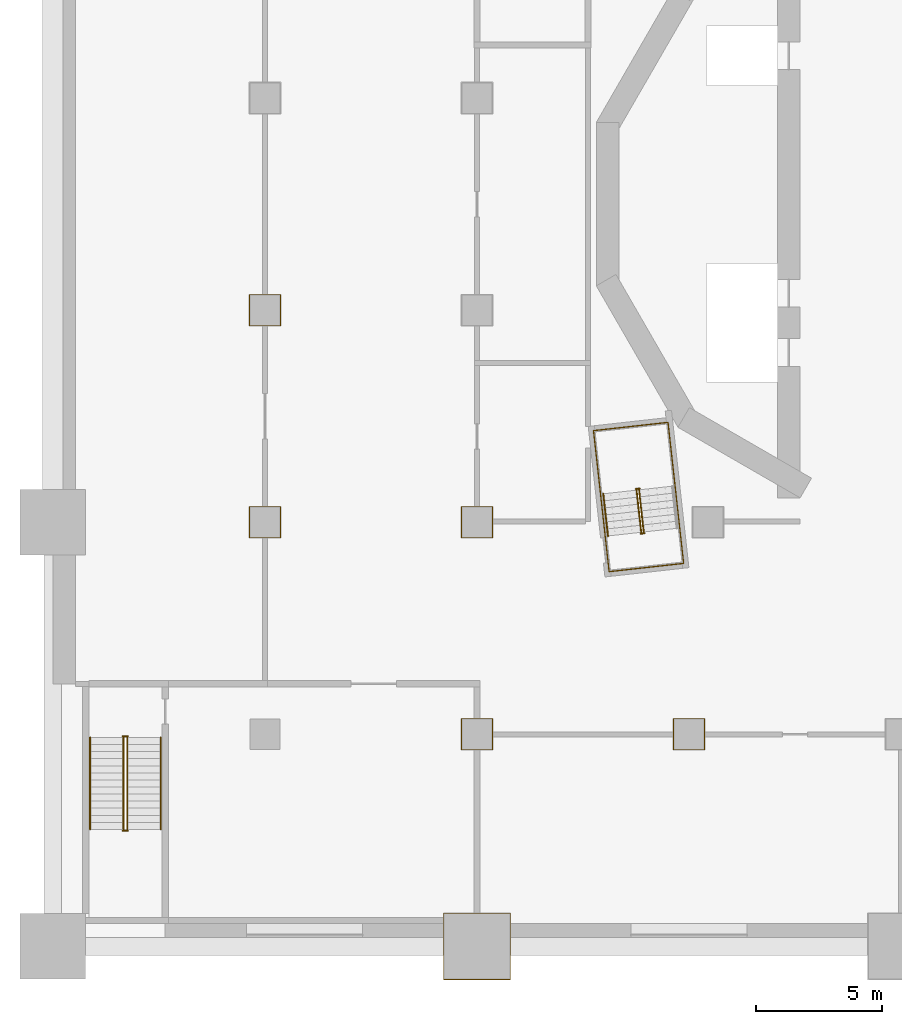
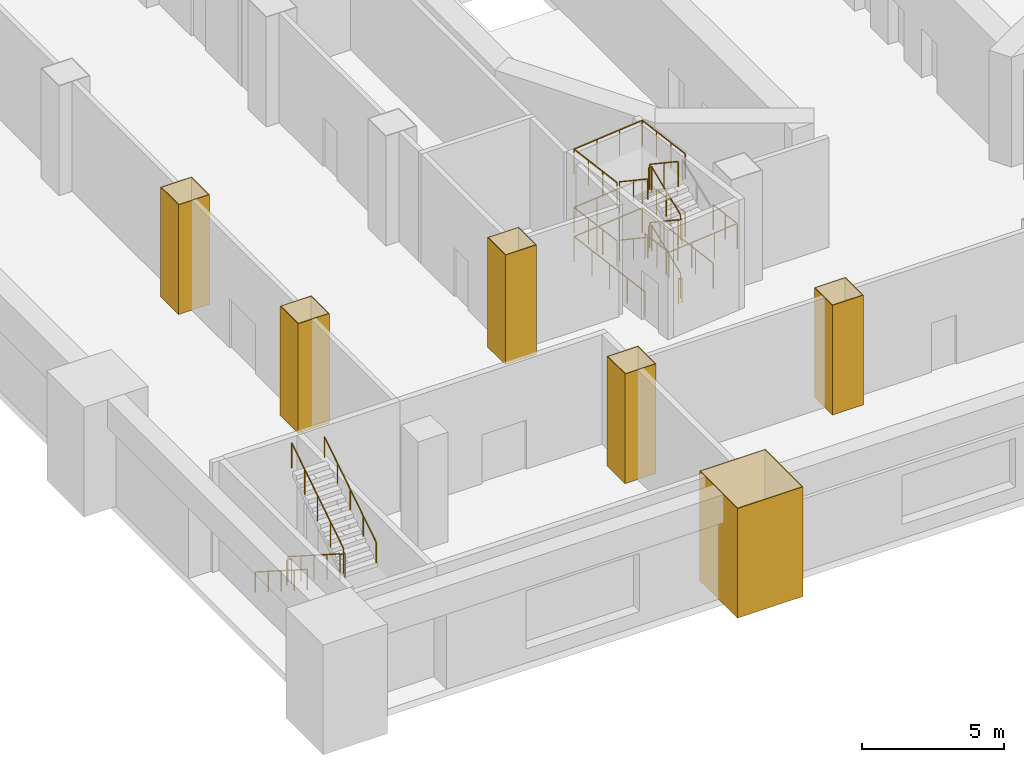
# One storey, part 9 of 17: 17 railings, 6 coverings.
"""IFC4 building model written with IfcOpenShell, lengths in metres."""

from ifc_helpers import new_model, si_unit, direction, frame, origin, origin_2d, place, context, subcontext, project, spatial, polyline, circle, outline, extrude, material, layer, layer_set, type_object, element, save


model = new_model("IFC4")

# Units and contexts
model_context = context("Model", 3, precision=1e-05, world=origin(), true_north=direction((0.0, 1.0)))
body_context = subcontext(model_context, "Body", "Model", "MODEL_VIEW")
ifc_project = project(units=[si_unit("LENGTHUNIT", "METRE"), si_unit("AREAUNIT", "SQUARE_METRE"), si_unit("VOLUMEUNIT", "CUBIC_METRE"), si_unit("PLANEANGLEUNIT", "RADIAN"), si_unit("MASSUNIT", "GRAM", prefix="KILO")], contexts=[model_context])

# Site, building, storey
site_placement = place(None, origin())
site = spatial("IfcSite", under=ifc_project, at=site_placement, CompositionType="ELEMENT")
building_placement = place(site_placement, origin())
building = spatial("IfcBuilding", under=site, at=building_placement, Name="Cantera Rosa Tower", CompositionType="ELEMENT")
storey_placement = place(building_placement, frame((0.0, 0.0, 27.0)))
storey = spatial("IfcBuildingStorey", under=building, at=storey_placement, Name="L04", CompositionType="ELEMENT", Elevation=27.0)

# Coverings
ifc_material_1 = material(Name="Plaster")
ifc_layer = layer(ifc_material_1, 0.030029296875)
ifc_layer_set = layer_set([ifc_layer], Name="Column casing 30")
covering_type = type_object("IfcCoveringType", Name="Column casing 30", PredefinedType="CLADDING", material=ifc_layer_set)
covering_1_placement = place(storey_placement, origin())
element("IfcCovering", 1, at=covering_1_placement, inside=storey, type_object=covering_type, Name="Column casing L04-001", PredefinedType="CLADDING", context=body_context, shape_type="SweptSolid", body=[
    extrude(outline(polyline([(-25.830078125, -13.22998046875), (-24.570068359375, -13.22998046875), (-24.570068359375, -11.969970703125), (-25.830078125, -11.969970703125), (-25.830078125, -13.22998046875)]), holes=[polyline([(-24.60009765625, -12.0), (-25.800048828125, -12.0), (-25.800048828125, -13.199951171875), (-24.60009765625, -13.199951171875), (-24.60009765625, -12.0)])]), origin(), (0.0, 0.0, 1.0), 4.699951171875),
])
covering_2_placement = place(storey_placement, origin())
element("IfcCovering", 2, at=covering_2_placement, inside=storey, type_object=covering_type, Name="Column casing L04-002", PredefinedType="CLADDING", context=body_context, shape_type="SweptSolid", body=[
    extrude(outline(polyline([(-25.830078125, -4.830078125), (-24.570068359375, -4.830078125), (-24.570068359375, -3.570068359375), (-25.830078125, -3.570068359375), (-25.830078125, -4.830078125)]), holes=[polyline([(-24.60009765625, -3.60009765625), (-25.800048828125, -3.60009765625), (-25.800048828125, -4.800048828125), (-24.60009765625, -4.800048828125), (-24.60009765625, -3.60009765625)])]), origin(), (0.0, 0.0, 1.0), 4.699951171875),
])
covering_3_placement = place(storey_placement, origin())
element("IfcCovering", 3, at=covering_3_placement, inside=storey, type_object=covering_type, Name="Column casing L04-005", PredefinedType="CLADDING", context=body_context, shape_type="SweptSolid", body=[
    extrude(outline(polyline([(-18.1298828125, -30.72998046875), (-15.469970703125, -30.72998046875), (-15.469970703125, -28.070068359375), (-18.1298828125, -28.070068359375), (-18.1298828125, -30.72998046875)]), holes=[polyline([(-15.5, -28.10009765625), (-18.10009765625, -28.10009765625), (-18.10009765625, -30.699951171875), (-15.5, -30.699951171875), (-15.5, -28.10009765625)])]), origin(), (0.0, 0.0, 1.0), 4.699951171875),
])
covering_4_placement = place(storey_placement, origin())
element("IfcCovering", 4, at=covering_4_placement, inside=storey, type_object=covering_type, Name="Column casing L04-006", PredefinedType="CLADDING", context=body_context, shape_type="SweptSolid", body=[
    extrude(outline(polyline([(-17.429931640625, -21.6298828125), (-16.169921875, -21.6298828125), (-16.169921875, -20.3701171875), (-17.429931640625, -20.3701171875), (-17.429931640625, -21.6298828125)]), holes=[polyline([(-16.199951171875, -20.39990234375), (-17.39990234375, -20.39990234375), (-17.39990234375, -21.60009765625), (-16.199951171875, -21.60009765625), (-16.199951171875, -20.39990234375)])]), origin(), (0.0, 0.0, 1.0), 4.699951171875),
])
covering_5_placement = place(storey_placement, origin())
element("IfcCovering", 5, at=covering_5_placement, inside=storey, type_object=covering_type, Name="Column casing L04-007", PredefinedType="CLADDING", context=body_context, shape_type="SweptSolid", body=[
    extrude(outline(polyline([(-17.429931640625, -13.22998046875), (-16.169921875, -13.22998046875), (-16.169921875, -11.969970703125), (-17.429931640625, -11.969970703125), (-17.429931640625, -13.22998046875)]), holes=[polyline([(-16.199951171875, -12.0), (-17.39990234375, -12.0), (-17.39990234375, -13.199951171875), (-16.199951171875, -13.199951171875), (-16.199951171875, -12.0)])]), origin(), (0.0, 0.0, 1.0), 4.699951171875),
])
covering_6_placement = place(storey_placement, origin())
element("IfcCovering", 6, at=covering_6_placement, inside=storey, type_object=covering_type, Name="Column casing L04-013", PredefinedType="CLADDING", context=body_context, shape_type="SweptSolid", body=[
    extrude(outline(polyline([(-9.030029296875, -21.6298828125), (-7.77001953125, -21.6298828125), (-7.77001953125, -20.3701171875), (-9.030029296875, -20.3701171875), (-9.030029296875, -21.6298828125)]), holes=[polyline([(-7.800048828125, -20.39990234375), (-9.0, -20.39990234375), (-9.0, -21.60009765625), (-7.800048828125, -21.60009765625), (-7.800048828125, -20.39990234375)])]), origin(), (0.0, 0.0, 1.0), 4.699951171875),
])

# Railings
ifc_material_2 = material(Name="Steel S355J2 (EN 10025-2)", Category="steel")
railing_type_1 = type_object("IfcRailingType", Name="STAIR GUARD 1100", PredefinedType="GUARDRAIL", material=ifc_material_2)
railing_1_placement = place(storey_placement, frame((-10.19677734375, -12.986083984375, 0.178466796875)))
element("IfcRailing", 7, at=railing_1_placement, inside=storey, type_object=railing_type_1, Name="L04 ST-13 stair guard 1", PredefinedType="GUARDRAIL", context=body_context, shape_type="SweptSolid", body=[
    extrude(circle(Radius=0.02392578125, at=origin_2d()), frame((0.0, 0.0, 1.076171875), z_axis=(-0.092996744609, 0.837950904326, 0.537763784046), x_axis=(-0.993897904819, -0.110303920128, 0.0)), (0.0, 0.0, 1.0), 1.99267578125),
    extrude(circle(Radius=0.02392578125, at=origin_2d()), frame((-0.185302734375, 1.669677734375, 2.1474609375), z_axis=(0.358689472963, 0.933456941688, 0.0), x_axis=(-0.933456941688, 0.358689472963, 0.0)), (0.0, 0.0, 1.0), 0.056396484375),
    extrude(circle(Radius=0.02392578125, at=origin_2d()), frame((-0.1650390625, 1.722412109375, 2.1474609375), z_axis=(-0.993863881828, -0.110610055588, 0.0), x_axis=(0.110610055588, -0.993863881828, 0.0)), (0.0, 0.0, 1.0), 0.150146484375),
    extrude(circle(Radius=0.02099609375, at=origin_2d()), origin(), (0.0, 0.0, 1.0), 1.052001953125),
    extrude(circle(Radius=0.02099609375, at=origin_2d()), frame((-0.0927734375, 0.8349609375, 0.53564453125)), (0.0, 0.0, 1.0), 1.052001953125),
    extrude(circle(Radius=0.02099609375, at=origin_2d()), frame((-0.185302734375, 1.669677734375, 1.071533203125)), (0.0, 0.0, 1.0), 1.052001953125),
    extrude(circle(Radius=0.02099609375, at=origin_2d()), frame((-0.1650390625, 1.722412109375, 1.071533203125)), (0.0, 0.0, 1.0), 1.052001953125),
    extrude(circle(Radius=0.02099609375, at=origin_2d()), frame((-0.314208984375, 1.705810546875, 1.071533203125)), (0.0, 0.0, 1.0), 1.052001953125),
])
railing_2_placement = place(storey_placement, frame((-10.4794921875, -11.3271484375, 1.428466796875)))
element("IfcRailing", 8, at=railing_2_placement, inside=storey, type_object=railing_type_1, Name="L04 ST-13 stair guard 2", PredefinedType="GUARDRAIL", context=body_context, shape_type="SweptSolid", body=[
    extrude(circle(Radius=0.02392578125, at=origin_2d()), frame((0.0, 0.0, 1.076171875), z_axis=(0.092996744609, -0.837950904326, 0.537763784046), x_axis=(0.993897904819, 0.110303920128, 0.0)), (0.0, 0.0, 1.0), 1.99267578125),
    extrude(circle(Radius=0.02392578125, at=origin_2d()), frame((0.185302734375, -1.669677734375, 2.1474609375), z_axis=(-0.363909256389, -0.931434406233, 0.0), x_axis=(0.931434406233, -0.363909256389, 0.0)), (0.0, 0.0, 1.0), 0.056396484375),
    extrude(circle(Radius=0.02392578125, at=origin_2d()), frame((0.164794921875, -1.72216796875, 2.1474609375), z_axis=(0.994041430915, 0.1090029065, 0.0), x_axis=(-0.1090029065, 0.994041430915, 0.0)), (0.0, 0.0, 1.0), 0.150146484375),
    extrude(circle(Radius=0.02099609375, at=origin_2d()), origin(), (0.0, 0.0, 1.0), 1.052001953125),
    extrude(circle(Radius=0.02099609375, at=origin_2d()), frame((0.0927734375, -0.8349609375, 0.53564453125)), (0.0, 0.0, 1.0), 1.052001953125),
    extrude(circle(Radius=0.02099609375, at=origin_2d()), frame((0.185302734375, -1.669677734375, 1.071533203125)), (0.0, 0.0, 1.0), 1.052001953125),
    extrude(circle(Radius=0.02099609375, at=origin_2d()), frame((0.164794921875, -1.72216796875, 1.071533203125)), (0.0, 0.0, 1.0), 1.052001953125),
    extrude(circle(Radius=0.02099609375, at=origin_2d()), frame((0.31396484375, -1.705810546875, 1.071533203125)), (0.0, 0.0, 1.0), 1.052001953125),
])
railing_3_placement = place(storey_placement, frame((-10.19677734375, -12.986083984375, 2.678466796875)))
element("IfcRailing", 9, at=railing_3_placement, inside=storey, type_object=railing_type_1, Name="L04 ST-13 stair guard 3", PredefinedType="GUARDRAIL", context=body_context, shape_type="SweptSolid", body=[
    extrude(circle(Radius=0.02392578125, at=origin_2d()), frame((0.0, 0.0, 1.076171875), z_axis=(-0.092996744609, 0.837950904326, 0.537763784046), x_axis=(-0.993897904819, -0.110303920128, 0.0)), (0.0, 0.0, 1.0), 1.99267578125),
    extrude(circle(Radius=0.02392578125, at=origin_2d()), frame((-0.185302734375, 1.669677734375, 2.1474609375), z_axis=(0.358689472963, 0.933456941688, 0.0), x_axis=(-0.933456941688, 0.358689472963, 0.0)), (0.0, 0.0, 1.0), 0.056396484375),
    extrude(circle(Radius=0.02392578125, at=origin_2d()), frame((-0.1650390625, 1.722412109375, 2.1474609375), z_axis=(-0.993863881828, -0.110610055588, 0.0), x_axis=(0.110610055588, -0.993863881828, 0.0)), (0.0, 0.0, 1.0), 0.150146484375),
    extrude(circle(Radius=0.02099609375, at=origin_2d()), origin(), (0.0, 0.0, 1.0), 1.052001953125),
    extrude(circle(Radius=0.02099609375, at=origin_2d()), frame((-0.0927734375, 0.8349609375, 0.53564453125)), (0.0, 0.0, 1.0), 1.052001953125),
    extrude(circle(Radius=0.02099609375, at=origin_2d()), frame((-0.185302734375, 1.669677734375, 1.071533203125)), (0.0, 0.0, 1.0), 1.052001953125),
    extrude(circle(Radius=0.02099609375, at=origin_2d()), frame((-0.1650390625, 1.722412109375, 1.071533203125)), (0.0, 0.0, 1.0), 1.052001953125),
    extrude(circle(Radius=0.02099609375, at=origin_2d()), frame((-0.314208984375, 1.705810546875, 1.071533203125)), (0.0, 0.0, 1.0), 1.052001953125),
])
railing_4_placement = place(storey_placement, frame((-10.4794921875, -11.3271484375, 3.928466796875)))
element("IfcRailing", 10, at=railing_4_placement, inside=storey, type_object=railing_type_1, Name="L04 ST-13 stair guard 4", PredefinedType="GUARDRAIL", context=body_context, shape_type="SweptSolid", body=[
    extrude(circle(Radius=0.02392578125, at=origin_2d()), frame((0.0, 0.0, 1.076171875), z_axis=(0.092996744609, -0.837950904326, 0.537763784046), x_axis=(0.993897904819, 0.110303920128, 0.0)), (0.0, 0.0, 1.0), 1.99267578125),
    extrude(circle(Radius=0.02099609375, at=origin_2d()), origin(), (0.0, 0.0, 1.0), 1.052001953125),
    extrude(circle(Radius=0.02099609375, at=origin_2d()), frame((0.0927734375, -0.8349609375, 0.53564453125)), (0.0, 0.0, 1.0), 1.052001953125),
    extrude(circle(Radius=0.02099609375, at=origin_2d()), frame((0.185302734375, -1.669677734375, 1.071533203125)), (0.0, 0.0, 1.0), 1.052001953125),
])
railing_5_placement = place(storey_placement, frame((-10.16552734375, -13.032958984375, 0.0)))
element("IfcRailing", 11, at=railing_5_placement, inside=storey, type_object=railing_type_1, Name="L04 ST-13 stair guard 5", PredefinedType="GUARDRAIL", context=body_context, shape_type="SweptSolid", body=[
    extrude(circle(Radius=0.02392578125, at=origin_2d()), frame((0.0, 0.0, 1.076171875), z_axis=(-0.994041430915, -0.1090029065, 0.0), x_axis=(0.1090029065, -0.994041430915, 0.0)), (0.0, 0.0, 1.0), 0.150146484375),
    extrude(circle(Radius=0.02099609375, at=origin_2d()), origin(), (0.0, 0.0, 1.0), 1.052001953125),
    extrude(circle(Radius=0.02099609375, at=origin_2d()), frame((-0.149169921875, -0.016357421875, 0.0)), (0.0, 0.0, 1.0), 1.052001953125),
])
railing_6_placement = place(storey_placement, frame((-8.77099609375, -12.815673828125, 0.0)))
element("IfcRailing", 12, at=railing_6_placement, inside=storey, type_object=railing_type_1, Name="L04 ST-13 stair guard 6", PredefinedType="GUARDRAIL", context=body_context, shape_type="SweptSolid", body=[
    extrude(circle(Radius=0.02392578125, at=origin_2d()), frame((0.0, 0.0, 1.076171875), z_axis=(-0.110323013767, 0.9938957856, 0.0), x_axis=(-0.9938957856, -0.110323013767, 0.0)), (0.0, 0.0, 1.0), 4.197998046875),
    extrude(circle(Radius=0.02392578125, at=origin_2d()), frame((-0.463134765625, 4.17236328125, 1.076171875), z_axis=(-0.993896759678, -0.110314237986, 0.0), x_axis=(0.110314237986, -0.993896759678, 0.0)), (0.0, 0.0, 1.0), 2.969970703125),
    extrude(circle(Radius=0.02392578125, at=origin_2d()), frame((-3.4150390625, 3.8447265625, 1.076171875), z_axis=(0.110323013767, -0.9938957856, 0.0), x_axis=(0.9938957856, 0.110323013767, 0.0)), (0.0, 0.0, 1.0), 4.197998046875),
    extrude(circle(Radius=0.02099609375, at=origin_2d()), origin(), (0.0, 0.0, 1.0), 1.052001953125),
    extrude(circle(Radius=0.02099609375, at=origin_2d()), frame((-0.11572265625, 1.04296875, 0.0)), (0.0, 0.0, 1.0), 1.052001953125),
    extrude(circle(Radius=0.02099609375, at=origin_2d()), frame((-0.2314453125, 2.086181640625, 0.0)), (0.0, 0.0, 1.0), 1.052001953125),
    extrude(circle(Radius=0.02099609375, at=origin_2d()), frame((-0.347412109375, 3.12939453125, 0.0)), (0.0, 0.0, 1.0), 1.052001953125),
    extrude(circle(Radius=0.02099609375, at=origin_2d()), frame((-0.463134765625, 4.17236328125, 0.0)), (0.0, 0.0, 1.0), 1.052001953125),
    extrude(circle(Radius=0.02099609375, at=origin_2d()), frame((-1.447021484375, 4.063232421875, 0.0)), (0.0, 0.0, 1.0), 1.052001953125),
    extrude(circle(Radius=0.02099609375, at=origin_2d()), frame((-2.43115234375, 3.953857421875, 0.0)), (0.0, 0.0, 1.0), 1.052001953125),
    extrude(circle(Radius=0.02099609375, at=origin_2d()), frame((-3.4150390625, 3.8447265625, 0.0)), (0.0, 0.0, 1.0), 1.052001953125),
    extrude(circle(Radius=0.02099609375, at=origin_2d()), frame((-3.29931640625, 2.8017578125, 0.0)), (0.0, 0.0, 1.0), 1.052001953125),
    extrude(circle(Radius=0.02099609375, at=origin_2d()), frame((-3.18359375, 1.758544921875, 0.0)), (0.0, 0.0, 1.0), 1.052001953125),
    extrude(circle(Radius=0.02099609375, at=origin_2d()), frame((-3.067626953125, 0.71533203125, 0.0)), (0.0, 0.0, 1.0), 1.052001953125),
    extrude(circle(Radius=0.02099609375, at=origin_2d()), frame((-2.951904296875, -0.32763671875, 0.0)), (0.0, 0.0, 1.0), 1.052001953125),
])
railing_7_placement = place(storey_placement, frame((-8.95361328125, -11.169921875, 1.25)))
element("IfcRailing", 13, at=railing_7_placement, inside=storey, type_object=railing_type_1, Name="L04 ST-13 stair guard 7", PredefinedType="GUARDRAIL", context=body_context, shape_type="SweptSolid", body=[
    extrude(circle(Radius=0.02392578125, at=origin_2d()), frame((0.0, 0.0, 1.076171875), z_axis=(-0.110347199982, 0.993893100618, 0.0), x_axis=(-0.993893100618, -0.110347199982, 0.0)), (0.0, 0.0, 1.0), 2.542236328125),
    extrude(circle(Radius=0.02392578125, at=origin_2d()), frame((-0.280517578125, 2.526611328125, 1.076171875), z_axis=(-0.993896759678, -0.110314237986, 0.0), x_axis=(0.110314237986, -0.993896759678, 0.0)), (0.0, 0.0, 1.0), 2.969970703125),
    extrude(circle(Radius=0.02392578125, at=origin_2d()), frame((-3.232421875, 2.198974609375, 1.076171875), z_axis=(0.110347199982, -0.993893100618, 0.0), x_axis=(0.993893100618, 0.110347199982, 0.0)), (0.0, 0.0, 1.0), 2.542236328125),
    extrude(circle(Radius=0.02099609375, at=origin_2d()), origin(), (0.0, 0.0, 1.0), 1.052001953125),
    extrude(circle(Radius=0.02099609375, at=origin_2d()), frame((-0.093505859375, 0.84228515625, 0.0)), (0.0, 0.0, 1.0), 1.052001953125),
    extrude(circle(Radius=0.02099609375, at=origin_2d()), frame((-0.18701171875, 1.684326171875, 0.0)), (0.0, 0.0, 1.0), 1.052001953125),
    extrude(circle(Radius=0.02099609375, at=origin_2d()), frame((-0.280517578125, 2.526611328125, 0.0)), (0.0, 0.0, 1.0), 1.052001953125),
    extrude(circle(Radius=0.02099609375, at=origin_2d()), frame((-1.264404296875, 2.41748046875, 0.0)), (0.0, 0.0, 1.0), 1.052001953125),
    extrude(circle(Radius=0.02099609375, at=origin_2d()), frame((-2.24853515625, 2.30810546875, 0.0)), (0.0, 0.0, 1.0), 1.052001953125),
    extrude(circle(Radius=0.02099609375, at=origin_2d()), frame((-3.232421875, 2.198974609375, 0.0)), (0.0, 0.0, 1.0), 1.052001953125),
    extrude(circle(Radius=0.02099609375, at=origin_2d()), frame((-3.138916015625, 1.356689453125, 0.0)), (0.0, 0.0, 1.0), 1.052001953125),
    extrude(circle(Radius=0.02099609375, at=origin_2d()), frame((-3.04541015625, 0.5146484375, 0.0)), (0.0, 0.0, 1.0), 1.052001953125),
    extrude(circle(Radius=0.02099609375, at=origin_2d()), frame((-2.951904296875, -0.32763671875, 0.0)), (0.0, 0.0, 1.0), 1.052001953125),
])
railing_8_placement = place(storey_placement, frame((-8.77099609375, -12.815673828125, 2.5)))
element("IfcRailing", 14, at=railing_8_placement, inside=storey, type_object=railing_type_1, Name="L04 ST-13 stair guard 8", PredefinedType="GUARDRAIL", context=body_context, shape_type="SweptSolid", body=[
    extrude(circle(Radius=0.02392578125, at=origin_2d()), frame((0.0, 0.0, 1.076171875), z_axis=(0.110393838913, -0.993887921413, 0.0), x_axis=(0.993887921413, 0.110393838913, 0.0)), (0.0, 0.0, 1.0), 1.422119140625),
    extrude(circle(Radius=0.02392578125, at=origin_2d()), frame((0.156982421875, -1.413330078125, 1.076171875), z_axis=(-0.993896759678, -0.110314237986, 0.0), x_axis=(0.110314237986, -0.993896759678, 0.0)), (0.0, 0.0, 1.0), 2.969970703125),
    extrude(circle(Radius=0.02392578125, at=origin_2d()), frame((-2.794921875, -1.740966796875, 1.076171875), z_axis=(-0.110393838913, 0.993887921413, 0.0), x_axis=(-0.993887921413, -0.110393838913, 0.0)), (0.0, 0.0, 1.0), 1.422119140625),
    extrude(circle(Radius=0.02099609375, at=origin_2d()), origin(), (0.0, 0.0, 1.0), 1.052001953125),
    extrude(circle(Radius=0.02099609375, at=origin_2d()), frame((0.07861328125, -0.70654296875, 0.0)), (0.0, 0.0, 1.0), 1.052001953125),
    extrude(circle(Radius=0.02099609375, at=origin_2d()), frame((0.156982421875, -1.413330078125, 0.0)), (0.0, 0.0, 1.0), 1.052001953125),
    extrude(circle(Radius=0.02099609375, at=origin_2d()), frame((-0.826904296875, -1.5224609375, 0.0)), (0.0, 0.0, 1.0), 1.052001953125),
    extrude(circle(Radius=0.02099609375, at=origin_2d()), frame((-1.81103515625, -1.6318359375, 0.0)), (0.0, 0.0, 1.0), 1.052001953125),
    extrude(circle(Radius=0.02099609375, at=origin_2d()), frame((-2.794921875, -1.740966796875, 0.0)), (0.0, 0.0, 1.0), 1.052001953125),
    extrude(circle(Radius=0.02099609375, at=origin_2d()), frame((-2.87353515625, -1.0341796875, 0.0)), (0.0, 0.0, 1.0), 1.052001953125),
    extrude(circle(Radius=0.02099609375, at=origin_2d()), frame((-2.951904296875, -0.32763671875, 0.0)), (0.0, 0.0, 1.0), 1.052001953125),
])
railing_9_placement = place(storey_placement, frame((-8.95361328125, -11.169921875, 3.75)))
element("IfcRailing", 15, at=railing_9_placement, inside=storey, type_object=railing_type_1, Name="L04 ST-13 stair guard 9", PredefinedType="GUARDRAIL", context=body_context, shape_type="SweptSolid", body=[
    extrude(circle(Radius=0.02392578125, at=origin_2d()), frame((0.0, 0.0, 1.076171875), z_axis=(-0.110347199982, 0.993893100618, 0.0), x_axis=(-0.993893100618, -0.110347199982, 0.0)), (0.0, 0.0, 1.0), 2.542236328125),
    extrude(circle(Radius=0.02392578125, at=origin_2d()), frame((-0.280517578125, 2.526611328125, 1.076171875), z_axis=(-0.993896759678, -0.110314237986, 0.0), x_axis=(0.110314237986, -0.993896759678, 0.0)), (0.0, 0.0, 1.0), 2.969970703125),
    extrude(circle(Radius=0.02392578125, at=origin_2d()), frame((-3.232421875, 2.198974609375, 1.076171875), z_axis=(0.110347199982, -0.993893100618, 0.0), x_axis=(0.993893100618, 0.110347199982, 0.0)), (0.0, 0.0, 1.0), 2.542236328125),
    extrude(circle(Radius=0.02099609375, at=origin_2d()), origin(), (0.0, 0.0, 1.0), 1.052001953125),
    extrude(circle(Radius=0.02099609375, at=origin_2d()), frame((-0.093505859375, 0.84228515625, 0.0)), (0.0, 0.0, 1.0), 1.052001953125),
    extrude(circle(Radius=0.02099609375, at=origin_2d()), frame((-0.18701171875, 1.684326171875, 0.0)), (0.0, 0.0, 1.0), 1.052001953125),
    extrude(circle(Radius=0.02099609375, at=origin_2d()), frame((-0.280517578125, 2.526611328125, 0.0)), (0.0, 0.0, 1.0), 1.052001953125),
    extrude(circle(Radius=0.02099609375, at=origin_2d()), frame((-1.264404296875, 2.41748046875, 0.0)), (0.0, 0.0, 1.0), 1.052001953125),
    extrude(circle(Radius=0.02099609375, at=origin_2d()), frame((-2.24853515625, 2.30810546875, 0.0)), (0.0, 0.0, 1.0), 1.052001953125),
    extrude(circle(Radius=0.02099609375, at=origin_2d()), frame((-3.232421875, 2.198974609375, 0.0)), (0.0, 0.0, 1.0), 1.052001953125),
    extrude(circle(Radius=0.02099609375, at=origin_2d()), frame((-3.138916015625, 1.356689453125, 0.0)), (0.0, 0.0, 1.0), 1.052001953125),
    extrude(circle(Radius=0.02099609375, at=origin_2d()), frame((-3.04541015625, 0.5146484375, 0.0)), (0.0, 0.0, 1.0), 1.052001953125),
    extrude(circle(Radius=0.02099609375, at=origin_2d()), frame((-2.951904296875, -0.32763671875, 0.0)), (0.0, 0.0, 1.0), 1.052001953125),
])
railing_10_placement = place(storey_placement, frame((-30.799072265625, -21.125, 0.178466796875)))
element("IfcRailing", 16, at=railing_10_placement, inside=storey, type_object=railing_type_1, Name="L04 ST-SW stair guard 1", PredefinedType="GUARDRAIL", context=body_context, shape_type="SweptSolid", body=[
    extrude(circle(Radius=0.02392578125, at=origin_2d()), frame((0.0, 0.0, 1.076171875), z_axis=(0.0, -0.843111507901, 0.53773877045), x_axis=(1.0, 0.0, 0.0)), (0.0, 0.0, 1.0), 4.317138671875),
    extrude(circle(Radius=0.02099609375, at=origin_2d()), origin(), (0.0, 0.0, 1.0), 1.052001953125),
    extrude(circle(Radius=0.02099609375, at=origin_2d()), frame((0.0, -0.909912109375, 0.580322265625)), (0.0, 0.0, 1.0), 1.052001953125),
    extrude(circle(Radius=0.02099609375, at=origin_2d()), frame((0.0, -1.81982421875, 1.16064453125)), (0.0, 0.0, 1.0), 1.052001953125),
    extrude(circle(Radius=0.02099609375, at=origin_2d()), frame((0.0, -2.72998046875, 1.7412109375)), (0.0, 0.0, 1.0), 1.052001953125),
    extrude(circle(Radius=0.02099609375, at=origin_2d()), frame((0.0, -3.639892578125, 2.321533203125)), (0.0, 0.0, 1.0), 1.052001953125),
])
railing_11_placement = place(storey_placement, frame((-30.824951171875, -24.81494140625, 2.5)))
element("IfcRailing", 17, at=railing_11_placement, inside=storey, type_object=railing_type_1, Name="L04 ST-SW stair guard 2", PredefinedType="GUARDRAIL", context=body_context, shape_type="SweptSolid", body=[
    extrude(circle(Radius=0.02392578125, at=origin_2d()), frame((0.0, 0.0, 1.076171875), z_axis=(1.0, 0.0, 0.0), x_axis=(0.0, 1.0, 0.0)), (0.0, 0.0, 1.0), 0.199951171875),
    extrude(circle(Radius=0.02099609375, at=origin_2d()), origin(), (0.0, 0.0, 1.0), 1.052001953125),
    extrude(circle(Radius=0.02099609375, at=origin_2d()), frame((0.199951171875, 0.0, 0.0)), (0.0, 0.0, 1.0), 1.052001953125),
])
railing_12_placement = place(storey_placement, frame((-30.65087890625, -24.764892578125, 2.678466796875)))
element("IfcRailing", 18, at=railing_12_placement, inside=storey, type_object=railing_type_1, Name="L04 ST-SW stair guard 3", PredefinedType="GUARDRAIL", context=body_context, shape_type="SweptSolid", body=[
    extrude(circle(Radius=0.02392578125, at=origin_2d()), frame((0.0, 0.0, 1.076171875), z_axis=(0.0, 0.843111507901, 0.53773877045), x_axis=(-1.0, 0.0, 0.0)), (0.0, 0.0, 1.0), 4.317138671875),
    extrude(circle(Radius=0.02099609375, at=origin_2d()), origin(), (0.0, 0.0, 1.0), 1.052001953125),
    extrude(circle(Radius=0.02099609375, at=origin_2d()), frame((0.0, 0.909912109375, 0.580322265625)), (0.0, 0.0, 1.0), 1.052001953125),
    extrude(circle(Radius=0.02099609375, at=origin_2d()), frame((0.0, 1.81982421875, 1.16064453125)), (0.0, 0.0, 1.0), 1.052001953125),
    extrude(circle(Radius=0.02099609375, at=origin_2d()), frame((0.0, 2.72998046875, 1.7412109375)), (0.0, 0.0, 1.0), 1.052001953125),
    extrude(circle(Radius=0.02099609375, at=origin_2d()), frame((0.0, 3.639892578125, 2.321533203125)), (0.0, 0.0, 1.0), 1.052001953125),
])
railing_13_placement = place(storey_placement, frame((-30.824951171875, -21.074951171875, 0.0)))
element("IfcRailing", 19, at=railing_13_placement, inside=storey, type_object=railing_type_1, Name="L04 ST-SW stair guard 4", PredefinedType="GUARDRAIL", context=body_context, shape_type="SweptSolid", body=[
    extrude(circle(Radius=0.02392578125, at=origin_2d()), frame((0.0, 0.0, 1.076171875), z_axis=(1.0, 0.0, 0.0), x_axis=(0.0, 1.0, 0.0)), (0.0, 0.0, 1.0), 0.199951171875),
    extrude(circle(Radius=0.02099609375, at=origin_2d()), origin(), (0.0, 0.0, 1.0), 1.052001953125),
    extrude(circle(Radius=0.02099609375, at=origin_2d()), frame((0.199951171875, 0.0, 0.0)), (0.0, 0.0, 1.0), 1.052001953125),
])
ifc_material_3 = material(Name="Steel S355J2 (EN 10025-2)", Category="steel")
railing_type_2 = type_object("IfcRailingType", Name="STAIR HANDRAIL 900", PredefinedType="HANDRAIL", material=ifc_material_3)
for number, where, name in (
    (20, (-11.797607421875, -11.473388671875, 1.428466796875), "L04 ST-13 stair handrail 2"),
    (21, (-11.797607421875, -11.473388671875, 3.928466796875), "L04 ST-13 stair handrail 4"),
):
    element("IfcRailing", number, at=place(storey_placement, frame(where)), inside=storey, type_object=railing_type_2, Name=name, PredefinedType="HANDRAIL", context=body_context, shape_type="SweptSolid", body=[
        extrude(circle(Radius=0.02392578125, at=origin_2d()), frame((0.0, 0.0, 0.8759765625), z_axis=(0.09311820824, -0.837941350202, 0.537757652586), x_axis=(0.993881962282, 0.110447476434, 0.0)), (0.0, 0.0, 1.0), 1.99267578125),
        extrude(circle(Radius=0.02099609375, at=origin_2d()), origin(), (0.0, 0.0, 1.0), 0.851806640625),
        extrude(circle(Radius=0.02099609375, at=origin_2d()), frame((0.0927734375, -0.8349609375, 0.53564453125)), (0.0, 0.0, 1.0), 0.851806640625),
        extrude(circle(Radius=0.02099609375, at=origin_2d()), frame((0.185546875, -1.669677734375, 1.071533203125)), (0.0, 0.0, 1.0), 0.851806640625),
    ])
railing_14_placement = place(storey_placement, frame((-32.125, -21.125, 0.178466796875)))
element("IfcRailing", 22, at=railing_14_placement, inside=storey, type_object=railing_type_2, Name="L04 ST-SW stair handrail 1", PredefinedType="HANDRAIL", context=body_context, shape_type="SweptSolid", body=[
    extrude(circle(Radius=0.02392578125, at=origin_2d()), frame((0.0, 0.0, 0.8759765625), z_axis=(0.0, -0.843111507901, 0.53773877045), x_axis=(1.0, 0.0, 0.0)), (0.0, 0.0, 1.0), 4.317138671875),
    extrude(circle(Radius=0.02099609375, at=origin_2d()), origin(), (0.0, 0.0, 1.0), 0.851806640625),
    extrude(circle(Radius=0.02099609375, at=origin_2d()), frame((0.0, -0.909912109375, 0.580322265625)), (0.0, 0.0, 1.0), 0.851806640625),
    extrude(circle(Radius=0.02099609375, at=origin_2d()), frame((0.0, -1.81982421875, 1.16064453125)), (0.0, 0.0, 1.0), 0.851806640625),
    extrude(circle(Radius=0.02099609375, at=origin_2d()), frame((0.0, -2.72998046875, 1.7412109375)), (0.0, 0.0, 1.0), 0.851806640625),
    extrude(circle(Radius=0.02099609375, at=origin_2d()), frame((0.0, -3.639892578125, 2.321533203125)), (0.0, 0.0, 1.0), 0.851806640625),
])
railing_15_placement = place(storey_placement, frame((-29.324951171875, -24.764892578125, 2.678466796875)))
element("IfcRailing", 23, at=railing_15_placement, inside=storey, type_object=railing_type_2, Name="L04 ST-SW stair handrail 2", PredefinedType="HANDRAIL", context=body_context, shape_type="SweptSolid", body=[
    extrude(circle(Radius=0.02392578125, at=origin_2d()), frame((0.0, 0.0, 0.8759765625), z_axis=(0.0, 0.843111507901, 0.53773877045), x_axis=(-1.0, 0.0, 0.0)), (0.0, 0.0, 1.0), 4.317138671875),
    extrude(circle(Radius=0.02099609375, at=origin_2d()), origin(), (0.0, 0.0, 1.0), 0.851806640625),
    extrude(circle(Radius=0.02099609375, at=origin_2d()), frame((0.0, 0.909912109375, 0.580322265625)), (0.0, 0.0, 1.0), 0.851806640625),
    extrude(circle(Radius=0.02099609375, at=origin_2d()), frame((0.0, 1.81982421875, 1.16064453125)), (0.0, 0.0, 1.0), 0.851806640625),
    extrude(circle(Radius=0.02099609375, at=origin_2d()), frame((0.0, 2.72998046875, 1.7412109375)), (0.0, 0.0, 1.0), 0.851806640625),
    extrude(circle(Radius=0.02099609375, at=origin_2d()), frame((0.0, 3.639892578125, 2.321533203125)), (0.0, 0.0, 1.0), 0.851806640625),
])

save(model, "model.ifc")
